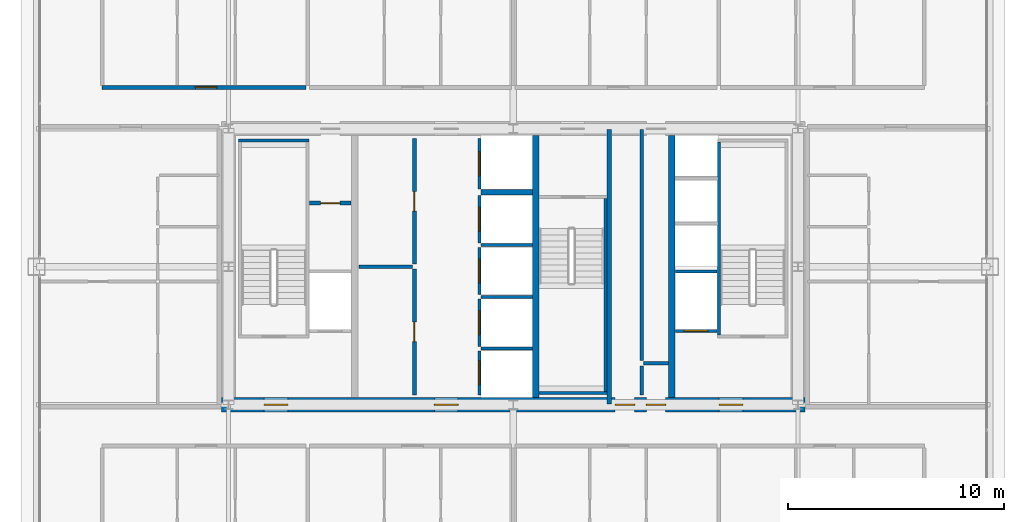
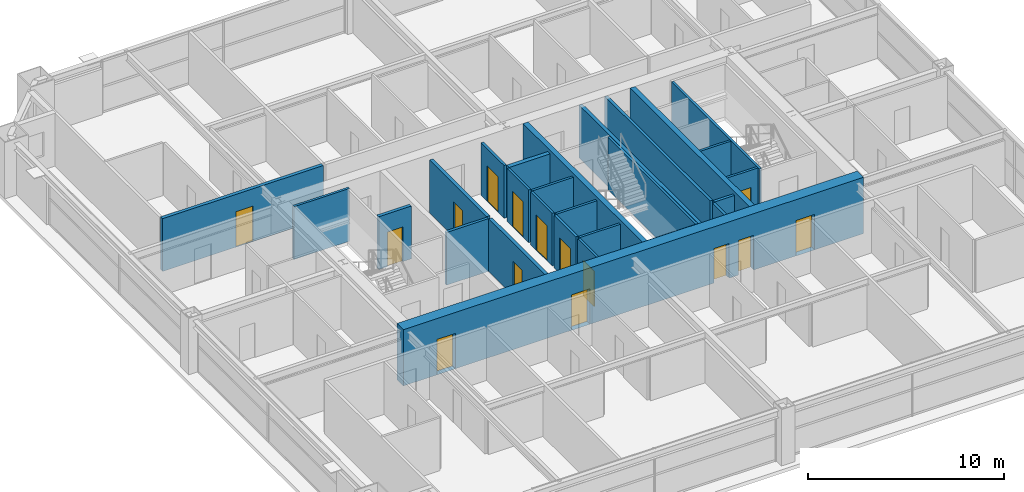
# One storey, part 34 of 38: 27 walls, 15 doors, 15 openings.
"""IFC4 building model written with IfcOpenShell, lengths in metres."""

from ifc_helpers import new_model, si_unit, direction, frame, frame_2d, origin, place, context, subcontext, project, spatial, rectangle, extrude, source, transform, mapped, material, layer, layer_set, type_object, element, fill, save


model = new_model("IFC4")

# Units and contexts
model_context = context("Model", 3, precision=1e-05, world=origin(), true_north=direction((0.0, 1.0)))
body_context = subcontext(model_context, "Body", "Model", "MODEL_VIEW")
ifc_project = project(units=[si_unit("LENGTHUNIT", "METRE"), si_unit("AREAUNIT", "SQUARE_METRE"), si_unit("VOLUMEUNIT", "CUBIC_METRE"), si_unit("PLANEANGLEUNIT", "RADIAN"), si_unit("MASSUNIT", "GRAM", prefix="KILO"), si_unit("THERMODYNAMICTEMPERATUREUNIT", "KELVIN"), si_unit("POWERUNIT", "WATT")], contexts=[model_context])

# Site, building, storey
site_placement = place(None, origin())
site = spatial("IfcSite", under=ifc_project, at=site_placement, CompositionType="ELEMENT")
building_placement = place(site_placement, origin())
building = spatial("IfcBuilding", under=site, at=building_placement, Name="Yuzanri Waterfront Tower", CompositionType="ELEMENT")
storey_placement = place(building_placement, frame((0.0, 0.0, 188.0)))
storey = spatial("IfcBuildingStorey", under=building, at=storey_placement, Name="L49", CompositionType="ELEMENT", Elevation=188.0)

# Wall, openings, doors
ifc_material_1 = material(Name="Concrete C50", Category="concrete")
ifc_layer_1 = layer(ifc_material_1, 0.64990234375)
ifc_layer_set_1 = layer_set([ifc_layer_1], Name="Concrete C50")
wall_type_1 = type_object("IfcWallType", Name="Concrete C50 Mid Zone Core Shear Wall 650", PredefinedType="SHEAR", material=ifc_layer_set_1)
wall_1_placement = place(storey_placement, frame((23.47509765625, 19.39990234375, 0.0), z_axis=(0.0, 0.0, 1.0), x_axis=(1.0, 0.0, 0.0)))
wall_1 = element("IfcWall", 1, at=wall_1_placement, inside=storey, type_object=wall_type_1, Name="L49 Core South Shear Wall", PredefinedType="SHEAR", context=body_context, shape_type="SweptSolid", body=[
    extrude(rectangle(XDim=27.0498046875, YDim=0.64990234375, at=frame_2d((13.52490234375, 0.0))), origin(), (0.0, 0.0, 1.0), 3.5),
])
opening_1_placement = place(wall_1_placement, frame((1.97509765625, 0.0, 0.0)))
opening_1 = element("IfcOpeningElement", 2, at=opening_1_placement, cuts=wall_1, Name="Opening FD-1100", PredefinedType="OPENING", context=body_context, shape_type="SweptSolid", body=[
    extrude(rectangle(XDim=1.10009765625, YDim=2.199951171875, at=frame_2d((0.550048828125, 1.10009765625))), frame((0.0, 0.33984375, 0.0), z_axis=(0.0, -1.0, 0.0), x_axis=(1.0, 0.0, 0.0)), (0.0, 0.0, 1.0), 0.6796875),
])
opening_2_placement = place(wall_1_placement, frame((9.875, 0.0, 0.0)))
opening_2 = element("IfcOpeningElement", 3, at=opening_2_placement, cuts=wall_1, Name="Opening FD-1100", PredefinedType="OPENING", context=body_context, shape_type="SweptSolid", body=[
    extrude(rectangle(XDim=1.10009765625, YDim=2.199951171875, at=frame_2d((0.550048828125, 1.10009765625))), frame((0.0, 0.33984375, 0.0), z_axis=(0.0, -1.0, 0.0), x_axis=(1.0, 0.0, 0.0)), (0.0, 0.0, 1.0), 0.6796875),
])
opening_3_placement = place(wall_1_placement, frame((23.074951171875, 0.0, 0.0)))
opening_3 = element("IfcOpeningElement", 4, at=opening_3_placement, cuts=wall_1, Name="Opening FD-1100", PredefinedType="OPENING", context=body_context, shape_type="SweptSolid", body=[
    extrude(rectangle(XDim=1.10009765625, YDim=2.199951171875, at=frame_2d((0.550048828125, 1.10009765625))), frame((0.0, 0.33984375, 0.0), z_axis=(0.0, -1.0, 0.0), x_axis=(1.0, 0.0, 0.0)), (0.0, 0.0, 1.0), 0.6796875),
])
opening_4_placement = place(wall_1_placement, frame((19.695068359375, 0.0, 0.0)))
opening_4 = element("IfcOpeningElement", 5, at=opening_4_placement, cuts=wall_1, Name="Opening FD-0900", PredefinedType="OPENING", context=body_context, shape_type="SweptSolid", body=[
    extrude(rectangle(XDim=0.89990234375, YDim=2.14990234375, at=frame_2d((0.449951171875, 1.074951171875))), frame((0.0, 0.33984375, 0.0), z_axis=(0.0, -1.0, 0.0), x_axis=(1.0, 0.0, 0.0)), (0.0, 0.0, 1.0), 0.6796875),
])
opening_5_placement = place(wall_1_placement, frame((18.2548828125, 0.0, 0.0)))
opening_5 = element("IfcOpeningElement", 6, at=opening_5_placement, cuts=wall_1, Name="Opening FD-0900", PredefinedType="OPENING", context=body_context, shape_type="SweptSolid", body=[
    extrude(rectangle(XDim=0.89990234375, YDim=2.14990234375, at=frame_2d((0.449951171875, 1.074951171875))), frame((0.0, 0.33984375, 0.0), z_axis=(0.0, -1.0, 0.0), x_axis=(1.0, 0.0, 0.0)), (0.0, 0.0, 1.0), 0.6796875),
])
ifc_material_2 = material(Name="Painted Galvanized Fire Steel", Category="steel")
door_type_1 = type_object("IfcDoorType", Name="Smoke-Proof Stair and Lobby Fire Door 1100x2200", OperationType="NOTDEFINED", PredefinedType="DOOR", material=ifc_material_2)
shared_shape_1 = source(origin(), body_context, "Body", "SweptSolid", [
    extrude(rectangle(XDim=1.10009765625, YDim=2.199951171875, at=frame_2d((0.550048828125, 1.10009765625))), frame((0.0, 0.02490234375, 0.0), z_axis=(0.0, -1.0, 0.0), x_axis=(1.0, 0.0, 0.0)), (0.0, 0.0, 1.0), 0.050048828125),
])
door_1_placement = place(opening_1_placement, origin())
door_1 = element("IfcDoor", 7, at=door_1_placement, inside=storey, type_object=door_type_1, Name="L49 West Firefighting Lobby Door", OperationType="SINGLE_SWING_RIGHT", OverallHeight=2.199951171875, OverallWidth=1.10009765625, PredefinedType="DOOR", context=body_context, shape_type="MappedRepresentation", body=[
    mapped(shared_shape_1, transform((0.0, 0.0, 0.0), scale=1.0)),
])
fill(opening_1, door_1)
door_2_placement = place(opening_2_placement, origin())
door_2 = element("IfcDoor", 8, at=door_2_placement, inside=storey, type_object=door_type_1, Name="L49 Central Lift Lobby South Door", OperationType="SINGLE_SWING_LEFT", OverallHeight=2.199951171875, OverallWidth=1.10009765625, PredefinedType="DOOR", context=body_context, shape_type="MappedRepresentation", body=[
    mapped(shared_shape_1, transform((0.0, 0.0, 0.0), scale=1.0)),
])
fill(opening_2, door_2)
door_3_placement = place(opening_3_placement, origin())
door_3 = element("IfcDoor", 9, at=door_3_placement, inside=storey, type_object=door_type_1, Name="L49 East Firefighting Lobby Door", OperationType="SINGLE_SWING_RIGHT", OverallHeight=2.199951171875, OverallWidth=1.10009765625, PredefinedType="DOOR", context=body_context, shape_type="MappedRepresentation", body=[
    mapped(shared_shape_1, transform((0.0, 0.0, 0.0), scale=1.0)),
])
fill(opening_3, door_3)
ifc_material_3 = material(Name="Painted Galvanized Fire Steel", Category="steel")
door_type_2 = type_object("IfcDoorType", Name="Riser and Service Room Fire Door 900x2150", OperationType="NOTDEFINED", PredefinedType="DOOR", material=ifc_material_3)
shared_shape_2 = source(origin(), body_context, "Body", "SweptSolid", [
    extrude(rectangle(XDim=0.89990234375, YDim=2.14990234375, at=frame_2d((0.449951171875, 1.074951171875))), frame((0.0, 0.02490234375, 0.0), z_axis=(0.0, -1.0, 0.0), x_axis=(1.0, 0.0, 0.0)), (0.0, 0.0, 1.0), 0.050048828125),
])
door_4_placement = place(opening_4_placement, origin())
door_4 = element("IfcDoor", 10, at=door_4_placement, inside=storey, type_object=door_type_2, Name="L49 East Wet Riser Door", OperationType="SINGLE_SWING_LEFT", OverallHeight=2.14990234375, OverallWidth=0.89990234375, PredefinedType="DOOR", context=body_context, shape_type="MappedRepresentation", body=[
    mapped(shared_shape_2, transform((0.0, 0.0, 0.0), scale=1.0)),
])
fill(opening_4, door_4)
door_5_placement = place(opening_5_placement, origin())
door_5 = element("IfcDoor", 11, at=door_5_placement, inside=storey, type_object=door_type_2, Name="L49 Cleaners Store Room", OperationType="SINGLE_SWING_RIGHT", OverallHeight=2.14990234375, OverallWidth=0.89990234375, PredefinedType="DOOR", context=body_context, shape_type="MappedRepresentation", body=[
    mapped(shared_shape_2, transform((0.0, 0.0, 0.0), scale=1.0)),
])
fill(opening_5, door_5)

# Wall, opening, door
ifc_material_4 = material(Name="Concrete C40", Category="concrete")
ifc_layer_2 = layer(ifc_material_4, 0.139892578125)
ifc_layer_set_2 = layer_set([ifc_layer_2], Name="Concrete C40")
wall_type_2 = type_object("IfcWallType", Name="Core Stair Liner and Hoistway Shaft Wall 140", PredefinedType="SOLIDWALL", material=ifc_layer_set_2)
wall_2_placement = place(storey_placement, frame((44.52001953125, 22.830078125, 0.0), z_axis=(0.0, 0.0, 1.0), x_axis=(1.0, 0.0, 0.0)))
wall_2 = element("IfcWall", 12, at=wall_2_placement, inside=storey, type_object=wall_type_2, Name="L49 Lift FL-02 Front Shaft Wall", PredefinedType="SOLIDWALL", context=body_context, shape_type="SweptSolid", body=[
    extrude(rectangle(XDim=1.919921875, YDim=0.139892578125, at=frame_2d((0.9599609375, 0.0))), origin(), (0.0, 0.0, 1.0), 3.280029296875),
])
opening_6_placement = place(wall_2_placement, frame((0.409912109375, 0.0, 0.0)))
opening_6 = element("IfcOpeningElement", 13, at=opening_6_placement, cuts=wall_2, Name="Opening LD-FL-02", PredefinedType="OPENING", context=body_context, shape_type="SweptSolid", body=[
    extrude(rectangle(XDim=1.10009765625, YDim=2.199951171875, at=frame_2d((0.550048828125, 1.10009765625))), frame((0.0, 0.0849609375, 0.0), z_axis=(0.0, -1.0, 0.0), x_axis=(1.0, 0.0, 0.0)), (0.0, 0.0, 1.0), 0.169677734375),
])
ifc_material_5 = material(Name="Brushed Bronze and Stainless Steel Cab", Category="steel")
door_type_3 = type_object("IfcDoorType", Name="Center-Parting Bronze Lift Landing Sliding Door 1100x2200", OperationType="NOTDEFINED", PredefinedType="DOOR", material=ifc_material_5)
shared_shape_3 = source(origin(), body_context, "Body", "SweptSolid", [
    extrude(rectangle(XDim=1.10009765625, YDim=2.199951171875, at=frame_2d((0.550048828125, 1.10009765625))), frame((0.0, 0.02490234375, 0.0), z_axis=(0.0, -1.0, 0.0), x_axis=(1.0, 0.0, 0.0)), (0.0, 0.0, 1.0), 0.050048828125),
])
door_6_placement = place(opening_6_placement, origin())
door_6 = element("IfcDoor", 14, at=door_6_placement, inside=storey, type_object=door_type_3, Name="L49 FL-02 Lift Landing Sliding Door", OperationType="SLIDING_TO_RIGHT", OverallHeight=2.199951171875, OverallWidth=1.10009765625, PredefinedType="DOOR", context=body_context, shape_type="MappedRepresentation", body=[
    mapped(shared_shape_3, transform((0.0, 0.0, 0.0), scale=1.0)),
])
fill(opening_6, door_6)

wall_3_placement = place(storey_placement, frame((35.429931640625, 19.860107421875, 0.0), z_axis=(0.0, 0.0, 1.0), x_axis=(0.0, 1.0, 0.0)))
wall_3 = element("IfcWall", 15, at=wall_3_placement, inside=storey, type_object=wall_type_2, Name="L49 Lift PL-05 Front Shaft Wall", PredefinedType="SOLIDWALL", context=body_context, shape_type="SweptSolid", body=[
    extrude(rectangle(XDim=2.039794921875, YDim=0.139892578125, at=frame_2d((1.02001953125, 0.0))), origin(), (0.0, 0.0, 1.0), 3.280029296875),
])
opening_7_placement = place(wall_3_placement, frame((0.469970703125, 0.0, 0.0)))
opening_7 = element("IfcOpeningElement", 16, at=opening_7_placement, cuts=wall_3, Name="Opening LD-PL-05", PredefinedType="OPENING", context=body_context, shape_type="SweptSolid", body=[
    extrude(rectangle(XDim=1.10009765625, YDim=2.199951171875, at=frame_2d((0.550048828125, 1.10009765625))), frame((0.0, 0.0849609375, 0.0), z_axis=(0.0, -1.0, 0.0), x_axis=(1.0, 0.0, 0.0)), (0.0, 0.0, 1.0), 0.169677734375),
])
door_7_placement = place(opening_7_placement, origin())
door_7 = element("IfcDoor", 17, at=door_7_placement, inside=storey, type_object=door_type_3, Name="L49 PL-05 Lift Landing Sliding Door", OperationType="SLIDING_TO_RIGHT", OverallHeight=2.199951171875, OverallWidth=1.10009765625, PredefinedType="DOOR", context=body_context, shape_type="MappedRepresentation", body=[
    mapped(shared_shape_3, transform((0.0, 0.0, 0.0), scale=1.0)),
])
fill(opening_7, door_7)

wall_4_placement = place(storey_placement, frame((35.429931640625, 22.10009765625, 0.0), z_axis=(0.0, 0.0, 1.0), x_axis=(0.0, 1.0, 0.0)))
wall_4 = element("IfcWall", 18, at=wall_4_placement, inside=storey, type_object=wall_type_2, Name="L49 Lift PL-06 Front Shaft Wall", PredefinedType="SOLIDWALL", context=body_context, shape_type="SweptSolid", body=[
    extrude(rectangle(XDim=2.199951171875, YDim=0.139892578125, at=frame_2d((1.10009765625, 0.0))), origin(), (0.0, 0.0, 1.0), 3.280029296875),
])
opening_8_placement = place(wall_4_placement, frame((0.550048828125, 0.0, 0.0)))
opening_8 = element("IfcOpeningElement", 19, at=opening_8_placement, cuts=wall_4, Name="Opening LD-PL-06", PredefinedType="OPENING", context=body_context, shape_type="SweptSolid", body=[
    extrude(rectangle(XDim=1.10009765625, YDim=2.199951171875, at=frame_2d((0.550048828125, 1.10009765625))), frame((0.0, 0.0849609375, 0.0), z_axis=(0.0, -1.0, 0.0), x_axis=(1.0, 0.0, 0.0)), (0.0, 0.0, 1.0), 0.169677734375),
])
door_8_placement = place(opening_8_placement, origin())
door_8 = element("IfcDoor", 20, at=door_8_placement, inside=storey, type_object=door_type_3, Name="L49 PL-06 Lift Landing Sliding Door", OperationType="SLIDING_TO_LEFT", OverallHeight=2.199951171875, OverallWidth=1.10009765625, PredefinedType="DOOR", context=body_context, shape_type="MappedRepresentation", body=[
    mapped(shared_shape_3, transform((0.0, 0.0, 0.0), scale=1.0)),
])
fill(opening_8, door_8)

wall_5_placement = place(storey_placement, frame((35.429931640625, 24.5, 0.0), z_axis=(0.0, 0.0, 1.0), x_axis=(0.0, 1.0, 0.0)))
wall_5 = element("IfcWall", 21, at=wall_5_placement, inside=storey, type_object=wall_type_2, Name="L49 Lift PL-07 Front Shaft Wall", PredefinedType="SOLIDWALL", context=body_context, shape_type="SweptSolid", body=[
    extrude(rectangle(XDim=2.199951171875, YDim=0.139892578125, at=frame_2d((1.10009765625, 0.0))), origin(), (0.0, 0.0, 1.0), 3.280029296875),
])
opening_9_placement = place(wall_5_placement, frame((0.550048828125, 0.0, 0.0)))
opening_9 = element("IfcOpeningElement", 22, at=opening_9_placement, cuts=wall_5, Name="Opening LD-PL-07", PredefinedType="OPENING", context=body_context, shape_type="SweptSolid", body=[
    extrude(rectangle(XDim=1.10009765625, YDim=2.199951171875, at=frame_2d((0.550048828125, 1.10009765625))), frame((0.0, 0.0849609375, 0.0), z_axis=(0.0, -1.0, 0.0), x_axis=(1.0, 0.0, 0.0)), (0.0, 0.0, 1.0), 0.169677734375),
])
door_9_placement = place(opening_9_placement, origin())
door_9 = element("IfcDoor", 23, at=door_9_placement, inside=storey, type_object=door_type_3, Name="L49 PL-07 Lift Landing Sliding Door", OperationType="SLIDING_TO_RIGHT", OverallHeight=2.199951171875, OverallWidth=1.10009765625, PredefinedType="DOOR", context=body_context, shape_type="MappedRepresentation", body=[
    mapped(shared_shape_3, transform((0.0, 0.0, 0.0), scale=1.0)),
])
fill(opening_9, door_9)

wall_6_placement = place(storey_placement, frame((35.429931640625, 26.89990234375, 0.0), z_axis=(0.0, 0.0, 1.0), x_axis=(0.0, 1.0, 0.0)))
wall_6 = element("IfcWall", 24, at=wall_6_placement, inside=storey, type_object=wall_type_2, Name="L49 Lift PL-08 Front Shaft Wall", PredefinedType="SOLIDWALL", context=body_context, shape_type="SweptSolid", body=[
    extrude(rectangle(XDim=2.2001953125, YDim=0.139892578125, at=frame_2d((1.10009765625, 0.0))), origin(), (0.0, 0.0, 1.0), 3.280029296875),
])
opening_10_placement = place(wall_6_placement, frame((0.550048828125, 0.0, 0.0)))
opening_10 = element("IfcOpeningElement", 25, at=opening_10_placement, cuts=wall_6, Name="Opening LD-PL-08", PredefinedType="OPENING", context=body_context, shape_type="SweptSolid", body=[
    extrude(rectangle(XDim=1.10009765625, YDim=2.199951171875, at=frame_2d((0.550048828125, 1.10009765625))), frame((0.0, 0.0849609375, 0.0), z_axis=(0.0, -1.0, 0.0), x_axis=(1.0, 0.0, 0.0)), (0.0, 0.0, 1.0), 0.169677734375),
])
door_10_placement = place(opening_10_placement, origin())
door_10 = element("IfcDoor", 26, at=door_10_placement, inside=storey, type_object=door_type_3, Name="L49 PL-08 Lift Landing Sliding Door", OperationType="SLIDING_TO_LEFT", OverallHeight=2.199951171875, OverallWidth=1.10009765625, PredefinedType="DOOR", context=body_context, shape_type="MappedRepresentation", body=[
    mapped(shared_shape_3, transform((0.0, 0.0, 0.0), scale=1.0)),
])
fill(opening_10, door_10)

wall_7_placement = place(storey_placement, frame((35.429931640625, 29.39990234375, 0.0), z_axis=(0.0, 0.0, 1.0), x_axis=(0.0, 1.0, 0.0)))
wall_7 = element("IfcWall", 27, at=wall_7_placement, inside=storey, type_object=wall_type_2, Name="L49 Lift SL-02 Front Shaft Wall", PredefinedType="SOLIDWALL", context=body_context, shape_type="SweptSolid", body=[
    extrude(rectangle(XDim=2.340087890625, YDim=0.139892578125, at=frame_2d((1.169921875, 0.0))), origin(), (0.0, 0.0, 1.0), 3.280029296875),
])
opening_11_placement = place(wall_7_placement, frame((0.6201171875, 0.0, 0.0)))
opening_11 = element("IfcOpeningElement", 28, at=opening_11_placement, cuts=wall_7, Name="Opening LD-SL-02", PredefinedType="OPENING", context=body_context, shape_type="SweptSolid", body=[
    extrude(rectangle(XDim=1.10009765625, YDim=2.199951171875, at=frame_2d((0.550048828125, 1.10009765625))), frame((0.0, 0.0849609375, 0.0), z_axis=(0.0, -1.0, 0.0), x_axis=(1.0, 0.0, 0.0)), (0.0, 0.0, 1.0), 0.169677734375),
])
door_11_placement = place(opening_11_placement, origin())
door_11 = element("IfcDoor", 29, at=door_11_placement, inside=storey, type_object=door_type_3, Name="L49 SL-02 Lift Landing Sliding Door", OperationType="SLIDING_TO_RIGHT", OverallHeight=2.199951171875, OverallWidth=1.10009765625, PredefinedType="DOOR", context=body_context, shape_type="MappedRepresentation", body=[
    mapped(shared_shape_3, transform((0.0, 0.0, 0.0), scale=1.0)),
])
fill(opening_11, door_11)

ifc_material_6 = material(Name="Autoclaved Aerated Concrete Blockwork", Category="masonry")
ifc_layer_3 = layer(ifc_material_6, 0.199951171875)
ifc_layer_set_3 = layer_set([ifc_layer_3], Name="Autoclaved Aerated Concrete Blockwork")
wall_type_3 = type_object("IfcWallType", Name="Corridor and Unit Party Fire Wall 200", PredefinedType="PARTITIONING", material=ifc_layer_set_3)
wall_8_placement = place(storey_placement, frame((27.56005859375, 28.75, 0.0), z_axis=(0.0, 0.0, 1.0), x_axis=(1.0, 0.0, 0.0)))
wall_8 = element("IfcWall", 30, at=wall_8_placement, inside=storey, type_object=wall_type_3, Name="L49 Partition CRW-L49-ERTR", PredefinedType="PARTITIONING", context=body_context, shape_type="SweptSolid", body=[
    extrude(rectangle(XDim=1.919921875, YDim=0.199951171875, at=frame_2d((0.9599609375, 0.0))), origin(), (0.0, 0.0, 1.0), 3.280029296875),
])
opening_12_placement = place(wall_8_placement, frame((0.510009765625, 0.0, 0.0)))
opening_12 = element("IfcOpeningElement", 31, at=opening_12_placement, cuts=wall_8, Name="Opening FD-0900", PredefinedType="OPENING", context=body_context, shape_type="SweptSolid", body=[
    extrude(rectangle(XDim=0.89990234375, YDim=2.14990234375, at=frame_2d((0.449951171875, 1.074951171875))), frame((0.0, 0.11474609375, 0.0), z_axis=(0.0, -1.0, 0.0), x_axis=(1.0, 0.0, 0.0)), (0.0, 0.0, 1.0), 0.229736328125),
])
door_12_placement = place(opening_12_placement, origin())
door_12 = element("IfcDoor", 32, at=door_12_placement, inside=storey, type_object=door_type_2, Name="L49 Electrical Riser Door", OperationType="SINGLE_SWING_RIGHT", OverallHeight=2.14990234375, OverallWidth=0.89990234375, PredefinedType="DOOR", context=body_context, shape_type="MappedRepresentation", body=[
    mapped(shared_shape_2, transform((0.0, 0.0, 0.0), scale=1.0)),
])
fill(opening_12, door_12)

wall_9_placement = place(storey_placement, frame((32.419921875, 19.860107421875, 0.0), z_axis=(0.0, 0.0, 1.0), x_axis=(0.0, 1.0, 0.0)))
wall_9 = element("IfcWall", 33, at=wall_9_placement, inside=storey, type_object=wall_type_3, Name="L49 Partition CRW-L49-B1R-1", PredefinedType="PARTITIONING", context=body_context, shape_type="SweptSolid", body=[
    extrude(rectangle(XDim=5.83984375, YDim=0.199951171875, at=frame_2d((2.919921875, 0.0))), origin(), (0.0, 0.0, 1.0), 3.280029296875),
])
opening_13_placement = place(wall_9_placement, frame((2.469970703125, 0.0, 0.0)))
opening_13 = element("IfcOpeningElement", 34, at=opening_13_placement, cuts=wall_9, Name="Opening FD-0900", PredefinedType="OPENING", context=body_context, shape_type="SweptSolid", body=[
    extrude(rectangle(XDim=0.89990234375, YDim=2.14990234375, at=frame_2d((0.449951171875, 1.074951171875))), frame((0.0, 0.11474609375, 0.0), z_axis=(0.0, -1.0, 0.0), x_axis=(1.0, 0.0, 0.0)), (0.0, 0.0, 1.0), 0.229736328125),
])
door_13_placement = place(opening_13_placement, origin())
door_13 = element("IfcDoor", 35, at=door_13_placement, inside=storey, type_object=door_type_2, Name="L49 South Private Store Room", OperationType="SINGLE_SWING_LEFT", OverallHeight=2.14990234375, OverallWidth=0.89990234375, PredefinedType="DOOR", context=body_context, shape_type="MappedRepresentation", body=[
    mapped(shared_shape_2, transform((0.0, 0.0, 0.0), scale=1.0)),
])
fill(opening_13, door_13)

wall_10_placement = place(storey_placement, frame((32.419921875, 25.919921875, 0.0), z_axis=(0.0, 0.0, 1.0), x_axis=(0.0, 1.0, 0.0)))
wall_10 = element("IfcWall", 36, at=wall_10_placement, inside=storey, type_object=wall_type_3, Name="L49 Partition CRW-L49-B1R-2", PredefinedType="PARTITIONING", context=body_context, shape_type="SweptSolid", body=[
    extrude(rectangle(XDim=5.820068359375, YDim=0.199951171875, at=frame_2d((2.91015625, 0.0))), origin(), (0.0, 0.0, 1.0), 3.280029296875),
])
opening_14_placement = place(wall_10_placement, frame((2.4599609375, 0.0, 0.0)))
opening_14 = element("IfcOpeningElement", 37, at=opening_14_placement, cuts=wall_10, Name="Opening FD-0900", PredefinedType="OPENING", context=body_context, shape_type="SweptSolid", body=[
    extrude(rectangle(XDim=0.89990234375, YDim=2.14990234375, at=frame_2d((0.449951171875, 1.074951171875))), frame((0.0, 0.11474609375, 0.0), z_axis=(0.0, -1.0, 0.0), x_axis=(1.0, 0.0, 0.0)), (0.0, 0.0, 1.0), 0.229736328125),
])
door_14_placement = place(opening_14_placement, origin())
door_14 = element("IfcDoor", 38, at=door_14_placement, inside=storey, type_object=door_type_2, Name="L49 North Private Store Room", OperationType="SINGLE_SWING_RIGHT", OverallHeight=2.14990234375, OverallWidth=0.89990234375, PredefinedType="DOOR", context=body_context, shape_type="MappedRepresentation", body=[
    mapped(shared_shape_2, transform((0.0, 0.0, 0.0), scale=1.0)),
])
fill(opening_14, door_14)

wall_11_placement = place(storey_placement, frame((17.93994140625, 34.110107421875, 0.0), z_axis=(0.0, 0.0, 1.0), x_axis=(1.0, 0.0, 0.0)))
wall_11 = element("IfcWall", 39, at=wall_11_placement, inside=storey, type_object=wall_type_3, Name="L49 Partition UW-L49-RN1-CS", PredefinedType="PARTITIONING", context=body_context, shape_type="SweptSolid", body=[
    extrude(rectangle(XDim=9.449951171875, YDim=0.199951171875, at=frame_2d((4.72509765625, 0.0))), origin(), (0.0, 0.0, 1.0), 3.280029296875),
])
opening_15_placement = place(wall_11_placement, frame((4.324951171875, 0.0, 0.0)))
opening_15 = element("IfcOpeningElement", 40, at=opening_15_placement, cuts=wall_11, Name="Opening FD-1000", PredefinedType="OPENING", context=body_context, shape_type="SweptSolid", body=[
    extrude(rectangle(XDim=1.0, YDim=2.199951171875, at=frame_2d((0.5, 1.10009765625))), frame((0.0, 0.11474609375, 0.0), z_axis=(0.0, -1.0, 0.0), x_axis=(1.0, 0.0, 0.0)), (0.0, 0.0, 1.0), 0.229736328125),
])
ifc_material_7 = material(Name="Engineered Oak Fire-Rated Timber", Category="wood")
door_type_4 = type_object("IfcDoorType", Name="Guestroom and Apartment Entrance Fire Door 1000x2200", OperationType="NOTDEFINED", PredefinedType="DOOR", material=ifc_material_7)
shared_shape_4 = source(origin(), body_context, "Body", "SweptSolid", [
    extrude(rectangle(XDim=1.0, YDim=2.199951171875, at=frame_2d((0.5, 1.10009765625))), frame((0.0, 0.02490234375, 0.0), z_axis=(0.0, -1.0, 0.0), x_axis=(1.0, 0.0, 0.0)), (0.0, 0.0, 1.0), 0.050048828125),
])
door_15_placement = place(opening_15_placement, origin())
door_15 = element("IfcDoor", 41, at=door_15_placement, inside=storey, type_object=door_type_4, Name="L49 Studio Living and Sleeping Room Entrance Door", OperationType="SINGLE_SWING_RIGHT", OverallHeight=2.199951171875, OverallWidth=1.0, PredefinedType="DOOR", context=body_context, shape_type="MappedRepresentation", body=[
    mapped(shared_shape_4, transform((0.0, 0.0, 0.0), scale=1.0)),
])
fill(opening_15, door_15)

# Walls
ifc_material_8 = material(Name="Concrete C50", Category="concrete")
ifc_layer_4 = layer(ifc_material_8, 0.300048828125)
ifc_layer_set_4 = layer_set([ifc_layer_4], Name="Concrete C50")
wall_type_4 = type_object("IfcWallType", Name="Concrete C50 Internal Core Shaft Structural Wall 300", PredefinedType="SOLIDWALL", material=ifc_layer_set_4)
shared_shape_5 = source(origin(), body_context, "Body", "SweptSolid", [
    extrude(rectangle(XDim=12.14990234375, YDim=0.300048828125, at=frame_2d((6.074951171875, 0.0))), origin(), (0.0, 0.0, 1.0), 3.5),
])
for number, where, z_axis, x_axis, name in (
    (42, (38.050048828125, 19.72509765625, 0.0), (0.0, 0.0, 1.0), (0.0, 1.0, 0.0), "L49 Core Internal Structural Web Wall 2"),
    (43, (44.35009765625, 19.72509765625, 0.0), (0.0, 0.0, 1.0), (0.0, 1.0, 0.0), "L49 Core Internal Structural Web Wall 3"),
):
    element("IfcWall", number, at=place(storey_placement, frame(where, z_axis=z_axis, x_axis=x_axis)), inside=storey, type_object=wall_type_4, Name=name, PredefinedType="SOLIDWALL", context=body_context, shape_type="MappedRepresentation", body=[
        mapped(shared_shape_5, transform((0.0, 0.0, 0.0), scale=1.0)),
    ])
shared_shape_6 = source(origin(), body_context, "Body", "SweptSolid", [
    extrude(rectangle(XDim=1.919921875, YDim=0.139892578125, at=frame_2d((0.9599609375, 0.0))), origin(), (0.0, 0.0, 1.0), 3.280029296875),
])
wall_12_placement = place(storey_placement, frame((44.52001953125, 25.570068359375, 0.0), z_axis=(0.0, 0.0, 1.0), x_axis=(1.0, 0.0, 0.0)))
element("IfcWall", 44, at=wall_12_placement, inside=storey, type_object=wall_type_2, Name="L49 Lift FL-02 Back Shaft Wall", PredefinedType="SOLIDWALL", context=body_context, shape_type="MappedRepresentation", body=[
    mapped(shared_shape_6, transform((0.0, 0.0, 0.0), scale=1.0)),
])
shared_shape_7 = source(origin(), body_context, "Body", "SweptSolid", [
    extrude(rectangle(XDim=2.39990234375, YDim=0.139892578125, at=frame_2d((1.199951171875, 0.0))), origin(), (0.0, 0.0, 1.0), 3.280029296875),
])
for number, where, z_axis, x_axis, name in (
    (45, (35.5, 22.0, 0.0), (0.0, 0.0, 1.0), (1.0, 0.0, 0.0), "L49 Lift PL-05 Divider Wall"),
    (46, (35.5, 24.39990234375, 0.0), (0.0, 0.0, 1.0), (1.0, 0.0, 0.0), "L49 Lift PL-06 Divider Wall"),
    (47, (35.5, 26.800048828125, 0.0), (0.0, 0.0, 1.0), (1.0, 0.0, 0.0), "L49 Lift PL-07 Divider Wall"),
):
    element("IfcWall", number, at=place(storey_placement, frame(where, z_axis=z_axis, x_axis=x_axis)), inside=storey, type_object=wall_type_2, Name=name, PredefinedType="SOLIDWALL", context=body_context, shape_type="MappedRepresentation", body=[
        mapped(shared_shape_7, transform((0.0, 0.0, 0.0), scale=1.0)),
    ])
ifc_material_9 = material(Name="Concrete C40", Category="concrete")
ifc_layer_5 = layer(ifc_material_9, 0.25)
ifc_layer_set_5 = layer_set([ifc_layer_5], Name="Concrete C40")
wall_type_5 = type_object("IfcWallType", Name="Smoke-Proof Stair and Lift Shaft Wall 250", PredefinedType="SOLIDWALL", material=ifc_layer_set_5)
shared_shape_8 = source(origin(), body_context, "Body", "SweptSolid", [
    extrude(rectangle(XDim=2.39990234375, YDim=0.25, at=frame_2d((1.199951171875, 0.0))), origin(), (0.0, 0.0, 1.0), 3.280029296875),
])
wall_13_placement = place(storey_placement, frame((35.5, 29.25, 0.0), z_axis=(0.0, 0.0, 1.0), x_axis=(1.0, 0.0, 0.0)))
element("IfcWall", 48, at=wall_13_placement, inside=storey, type_object=wall_type_5, Name="L49 Lift SL-02 South Shaft Wall", PredefinedType="SOLIDWALL", context=body_context, shape_type="MappedRepresentation", body=[
    mapped(shared_shape_8, transform((0.0, 0.0, 0.0), scale=1.0)),
])
shared_shape_9 = source(origin(), body_context, "Body", "SweptSolid", [
    extrude(rectangle(XDim=3.280029296875, YDim=0.139892578125, at=frame_2d((1.64013671875, 0.0))), origin(), (0.0, 0.0, 1.0), 3.280029296875),
])
wall_14_placement = place(storey_placement, frame((24.260009765625, 31.64990234375, 0.0), z_axis=(0.0, 0.0, 1.0), x_axis=(1.0, 0.0, 0.0)))
element("IfcWall", 49, at=wall_14_placement, inside=storey, type_object=wall_type_2, Name="L49 Stair ST-01 North Shaft Wall", PredefinedType="SOLIDWALL", context=body_context, shape_type="MappedRepresentation", body=[
    mapped(shared_shape_9, transform((0.0, 0.0, 0.0), scale=1.0)),
])
shared_shape_10 = source(origin(), body_context, "Body", "SweptSolid", [
    extrude(rectangle(XDim=8.940185546875, YDim=0.139892578125, at=frame_2d((4.47021484375, 0.0))), origin(), (0.0, 0.0, 1.0), 3.280029296875),
])
wall_15_placement = place(storey_placement, frame((46.530029296875, 22.639892578125, 0.0), z_axis=(0.0, 0.0, 1.0), x_axis=(0.0, 1.0, 0.0)))
element("IfcWall", 50, at=wall_15_placement, inside=storey, type_object=wall_type_2, Name="L49 Stair ST-02 West Shaft Wall", PredefinedType="SOLIDWALL", context=body_context, shape_type="MappedRepresentation", body=[
    mapped(shared_shape_10, transform((0.0, 0.0, 0.0), scale=1.0)),
])
shared_shape_11 = source(origin(), body_context, "Body", "SweptSolid", [
    extrude(rectangle(XDim=3.14013671875, YDim=0.139892578125, at=frame_2d((1.570068359375, 0.0))), origin(), (0.0, 0.0, 1.0), 3.280029296875),
])
wall_16_placement = place(storey_placement, frame((38.199951171875, 19.949951171875, 0.0), z_axis=(0.0, 0.0, 1.0), x_axis=(1.0, 0.0, 0.0)))
element("IfcWall", 51, at=wall_16_placement, inside=storey, type_object=wall_type_2, Name="L49 Stair ST-03 South Shaft Wall", PredefinedType="SOLIDWALL", context=body_context, shape_type="MappedRepresentation", body=[
    mapped(shared_shape_11, transform((0.0, 0.0, 0.0), scale=1.0)),
])
shared_shape_12 = source(origin(), body_context, "Body", "SweptSolid", [
    extrude(rectangle(XDim=8.93994140625, YDim=0.139892578125, at=frame_2d((4.469970703125, 0.0))), origin(), (0.0, 0.0, 1.0), 3.280029296875),
])
wall_17_placement = place(storey_placement, frame((41.27001953125, 20.02001953125, 0.0), z_axis=(0.0, 0.0, 1.0), x_axis=(0.0, 1.0, 0.0)))
element("IfcWall", 52, at=wall_17_placement, inside=storey, type_object=wall_type_2, Name="L49 Stair ST-03 East Shaft Wall", PredefinedType="SOLIDWALL", context=body_context, shape_type="MappedRepresentation", body=[
    mapped(shared_shape_12, transform((0.0, 0.0, 0.0), scale=1.0)),
])
ifc_material_10 = material(Name="Gypsum Fireboard Acoustic Stud Wall", Category="gypsum")
ifc_layer_6 = layer(ifc_material_10, 0.159912109375)
ifc_layer_set_6 = layer_set([ifc_layer_6], Name="Gypsum Fireboard Acoustic Stud Wall")
wall_type_6 = type_object("IfcWallType", Name="Acoustic Suite Demising Partition 160", PredefinedType="PARTITIONING", material=ifc_layer_set_6)
shared_shape_13 = source(origin(), body_context, "Body", "SweptSolid", [
    extrude(rectangle(XDim=2.469970703125, YDim=0.159912109375, at=frame_2d((1.23486328125, 0.0))), origin(), (0.0, 0.0, 1.0), 3.280029296875),
])
wall_18_placement = place(storey_placement, frame((29.85009765625, 25.800048828125, 0.0), z_axis=(0.0, 0.0, 1.0), x_axis=(1.0, 0.0, 0.0)))
element("IfcWall", 53, at=wall_18_placement, inside=storey, type_object=wall_type_6, Name="L49 Reclaimed Core Divider 2", PredefinedType="PARTITIONING", context=body_context, shape_type="MappedRepresentation", body=[
    mapped(shared_shape_13, transform((0.0, 0.0, 0.0), scale=1.0)),
])
shared_shape_14 = source(origin(), body_context, "Body", "SweptSolid", [
    extrude(rectangle(XDim=1.33984375, YDim=0.159912109375, at=frame_2d((0.669921875, 0.0))), origin(), (0.0, 0.0, 1.0), 3.280029296875),
])
wall_19_placement = place(storey_placement, frame((42.949951171875, 19.860107421875, 0.0), z_axis=(0.0, 0.0, 1.0), x_axis=(0.0, 1.0, 0.0)))
element("IfcWall", 54, at=wall_19_placement, inside=storey, type_object=wall_type_6, Name="L49 East Wet Riser West Wall", PredefinedType="PARTITIONING", context=body_context, shape_type="MappedRepresentation", body=[
    mapped(shared_shape_14, transform((0.0, 0.0, 0.0), scale=1.0)),
])
shared_shape_15 = source(origin(), body_context, "Body", "SweptSolid", [
    extrude(rectangle(XDim=1.169921875, YDim=0.159912109375, at=frame_2d((0.5849609375, 0.0))), origin(), (0.0, 0.0, 1.0), 3.280029296875),
])
wall_20_placement = place(storey_placement, frame((43.030029296875, 21.320068359375, 0.0), z_axis=(0.0, 0.0, 1.0), x_axis=(1.0, 0.0, 0.0)))
element("IfcWall", 55, at=wall_20_placement, inside=storey, type_object=wall_type_6, Name="L49 East Wet Riser North Wall", PredefinedType="PARTITIONING", context=body_context, shape_type="MappedRepresentation", body=[
    mapped(shared_shape_15, transform((0.0, 0.0, 0.0), scale=1.0)),
])
shared_shape_16 = source(origin(), body_context, "Body", "SweptSolid", [
    extrude(rectangle(XDim=12.719970703125, YDim=0.199951171875, at=frame_2d((6.35986328125, 0.0))), origin(), (0.0, 0.0, 1.0), 3.280029296875),
])
wall_21_placement = place(storey_placement, frame((41.449951171875, 19.43994140625, 0.0), z_axis=(0.0, 0.0, 1.0), x_axis=(0.0, 1.0, 0.0)))
element("IfcWall", 56, at=wall_21_placement, inside=storey, type_object=wall_type_3, Name="L49 Core BOH West Wall 1", PredefinedType="PARTITIONING", context=body_context, shape_type="MappedRepresentation", body=[
    mapped(shared_shape_16, transform((0.0, 0.0, 0.0), scale=1.0)),
])
shared_shape_17 = source(origin(), body_context, "Body", "SweptSolid", [
    extrude(rectangle(XDim=10.719970703125, YDim=0.159912109375, at=frame_2d((5.35986328125, 0.0))), origin(), (0.0, 0.0, 1.0), 3.280029296875),
])
wall_22_placement = place(storey_placement, frame((42.949951171875, 21.43994140625, 0.0), z_axis=(0.0, 0.0, 1.0), x_axis=(0.0, 1.0, 0.0)))
element("IfcWall", 57, at=wall_22_placement, inside=storey, type_object=wall_type_6, Name="L49 Core BOH Mid Wall 2", PredefinedType="PARTITIONING", context=body_context, shape_type="MappedRepresentation", body=[
    mapped(shared_shape_17, transform((0.0, 0.0, 0.0), scale=1.0)),
])

save(model, "model.ifc")
